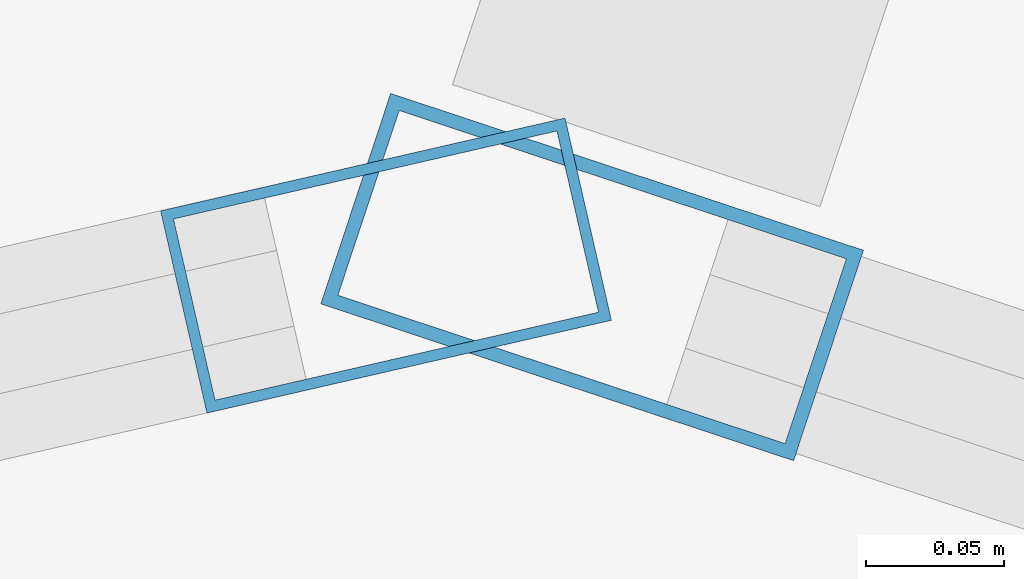
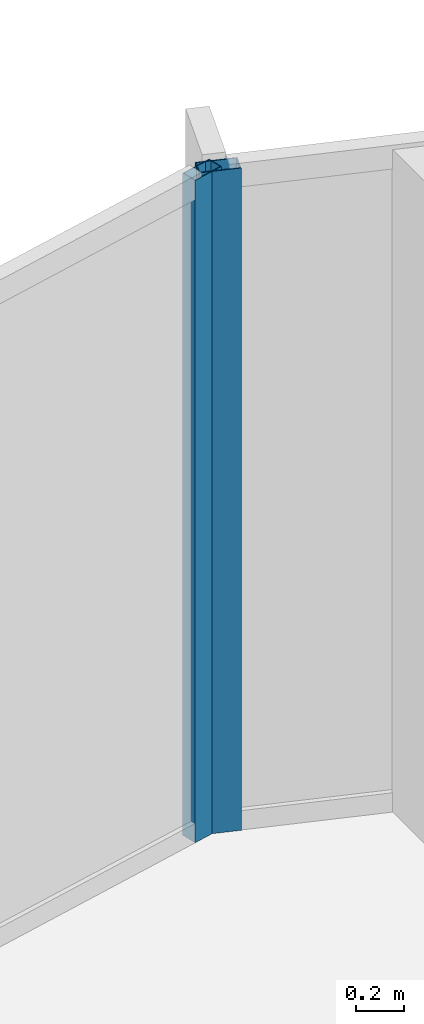
# One storey, part 22 of 34: 2 members, 2 elements without a shape of their own.
"""IFC4 building model written with IfcOpenShell, lengths in metres."""

from ifc_helpers import new_model, si_unit, direction, frame, origin, origin_2d, place, context, subcontext, project, spatial, hollow_rectangle, extrude, material, layer, layer_set, material_profile, profile_set, type_object, element, aggregate, save


model = new_model("IFC4")

# Units and contexts
model_context = context("Model", 3, precision=1e-05, world=origin(), true_north=direction((0.0, 1.0)))
body_context = subcontext(model_context, "Body", "Model", "MODEL_VIEW")
ifc_project = project(units=[si_unit("LENGTHUNIT", "METRE"), si_unit("AREAUNIT", "SQUARE_METRE"), si_unit("VOLUMEUNIT", "CUBIC_METRE"), si_unit("PLANEANGLEUNIT", "RADIAN"), si_unit("MASSUNIT", "GRAM", prefix="KILO")], contexts=[model_context])

# Site, building, storey
site_placement = place(None, origin())
site = spatial("IfcSite", under=ifc_project, at=site_placement, CompositionType="ELEMENT")
building_placement = place(site_placement, origin())
building = spatial("IfcBuilding", under=site, at=building_placement, Name="Kazevale Care Tower and Concert Hall", CompositionType="ELEMENT")
storey_placement = place(building_placement, frame((0.0, 0.0, 160.199951171875)))
storey = spatial("IfcBuildingStorey", under=building, at=storey_placement, Name="L42", CompositionType="ELEMENT", Elevation=160.199951171875)

# Curtain wall, member
ifc_material_1 = material(Name="Aluminium 6063-T6 and Low-E Glass", Category="aluminium")
ifc_layer_1 = layer(ifc_material_1, 0.179931640625)
ifc_layer_set_1 = layer_set([ifc_layer_1], Name="Aluminium 6063-T6 and Low-E Glass")
curtain_wall_type_1 = type_object("IfcCurtainWallType", Name="Convex Checkerboard Finned Curtain Wall CW-2", PredefinedType="NOTDEFINED", material=ifc_layer_set_1)
curtain_wall_1_placement = place(storey_placement, origin())
curtain_wall_1 = element("IfcCurtainWall", 1, at=curtain_wall_1_placement, inside=storey, type_object=curtain_wall_type_1, Name="cw:L42:f16", PredefinedType="NOTDEFINED")
ifc_material_2 = material(Name="Aluminium 6063-T6", Category="aluminium")
ifc_material_profile_1 = material_profile(ifc_material_2, hollow_rectangle(XDim=0.080078125, YDim=0.179931640625, WallThickness=0.0048828125, at=origin_2d()), Name="ALU80x180x5")
ifc_profile_set_1 = profile_set([ifc_material_profile_1], Name="Aluminium 6063-T6")
member_type_1 = type_object("IfcMemberType", Name="CW-2 Mullion ALU80x180x5", PredefinedType="MULLION", material=ifc_profile_set_1)
member_1_placement = place(storey_placement, frame((44.995849609375, 66.75537109375, 0.0), z_axis=(0.0, 0.0, 1.0), x_axis=(0.314868185785, 0.949135409507, 0.0)))
member_1 = element("IfcMember", 2, at=member_1_placement, type_object=member_type_1, Name="CW-2 mullion 1", PredefinedType="MULLION", context=body_context, shape_type="SweptSolid", body=[
    extrude(hollow_rectangle(XDim=0.080078125, YDim=0.179931640625, WallThickness=0.0048828125, at=origin_2d()), origin(), (0.0, 0.0, 1.0), 3.360107421875),
])
aggregate(curtain_wall_1, [member_1])

ifc_layer_2 = layer(ifc_material_1, 0.179931640625)
ifc_layer_set_2 = layer_set([ifc_layer_2], Name="Aluminium 6063-T6 and Low-E Glass")
curtain_wall_type_2 = type_object("IfcCurtainWallType", Name="Convex Recessed Sunroom Curtain Wall CW-3", PredefinedType="NOTDEFINED", material=ifc_layer_set_2)
curtain_wall_2_placement = place(storey_placement, origin())
curtain_wall_2 = element("IfcCurtainWall", 3, at=curtain_wall_2_placement, inside=storey, type_object=curtain_wall_type_2, Name="cw:L42:f15", PredefinedType="NOTDEFINED")
ifc_material_profile_2 = material_profile(ifc_material_2, hollow_rectangle(XDim=0.074951171875, YDim=0.14990234375, WallThickness=0.00390625, at=origin_2d()), Name="ALU75x150x4")
ifc_profile_set_2 = profile_set([ifc_material_profile_2], Name="Aluminium 6063-T6")
member_type_2 = type_object("IfcMemberType", Name="CW-3 Mullion ALU75x150x4", PredefinedType="MULLION", material=ifc_profile_set_2)
member_2_placement = place(storey_placement, frame((44.92138671875, 66.759521484375, 0.0), z_axis=(0.0, 0.0, 1.0), x_axis=(-0.223567329284, 0.974688488327, 0.0)))
member_2 = element("IfcMember", 4, at=member_2_placement, type_object=member_type_2, Name="CW-3 mullion 2", PredefinedType="MULLION", context=body_context, shape_type="SweptSolid", body=[
    extrude(hollow_rectangle(XDim=0.074951171875, YDim=0.14990234375, WallThickness=0.00390625, at=origin_2d()), origin(), (0.0, 0.0, 1.0), 3.360107421875),
])
aggregate(curtain_wall_2, [member_2])

save(model, "model.ifc")
